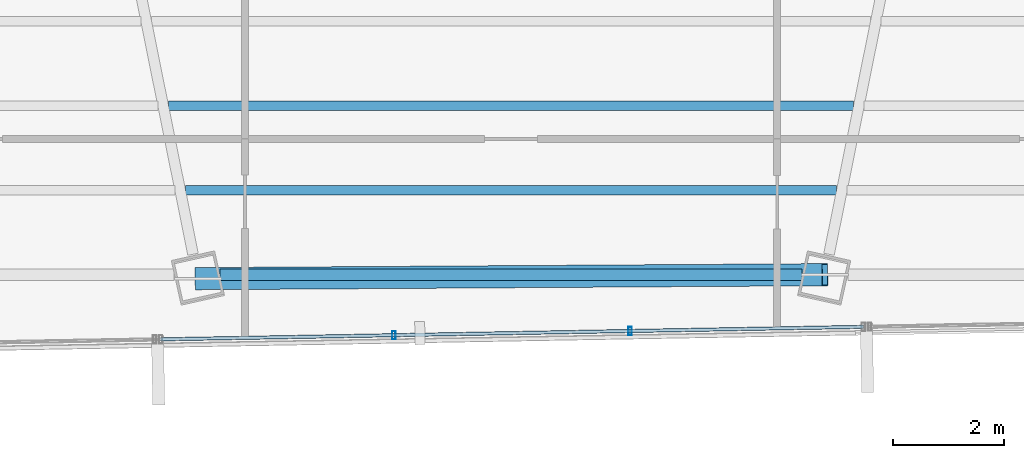
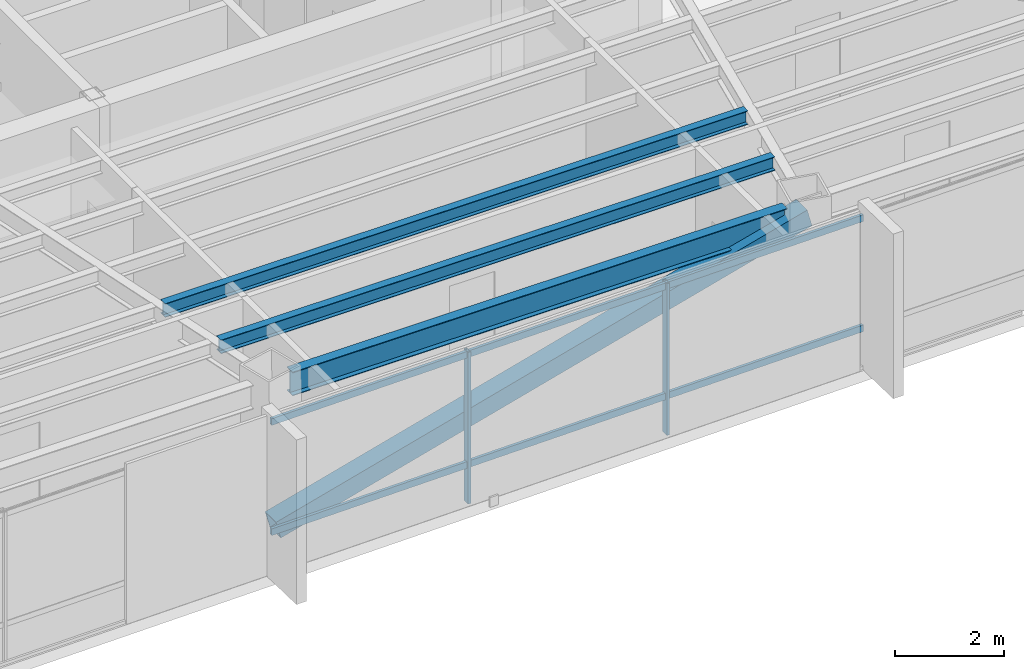
# One storey, part 13 of 44: 5 members, 3 beams, 1 element without a shape of its own.
"""IFC4 building model written with IfcOpenShell, lengths in metres."""

import ifcopenshell
import ifcopenshell.guid

model = None  # the IFC model being written
_history = None  # IfcOwnerHistory: only IFC2X3 demands one
_inside = {}  # id of a spatial element -> (the spatial element, [elements in it])
_under = {}  # id of a project, library or spatial element -> (it, [spatial elements below it])
_declared = {}  # id of a project -> (the project, [libraries it declares])
_typed = {}  # id of a type object -> (the type object, [elements of that type])
_made_of = {}  # id of a material, layer set ... -> (it, [elements and type objects made of it])


def new_model(schema):
    """Start an empty IFC model of exactly this schema.

    Asked for "IFC4X3", IfcOpenShell would pick the latest addendum, in which some entities
    have other attributes; the version numbers below select the first issue.
    IFC2X3 requires an IfcOwnerHistory on every rooted entity: one is made here for all.
    """
    global model, _history
    if schema == "IFC4X3":
        model = ifcopenshell.file(schema_version=(4, 3, 0, 0))
    else:
        model = ifcopenshell.file(schema=schema)
    _inside.clear()
    _under.clear()
    _declared.clear()
    _typed.clear()
    _made_of.clear()
    _history = None
    if model.schema == "IFC2X3":
        org = make("IfcOrganization", Name="unknown")
        user = make(
            "IfcPersonAndOrganization",
            ThePerson=make("IfcPerson", FamilyName="unknown"),
            TheOrganization=org,
        )
        app = make(
            "IfcApplication",
            ApplicationDeveloper=org,
            Version="unknown",
            ApplicationFullName="unknown",
            ApplicationIdentifier="unknown",
        )
        _history = make(
            "IfcOwnerHistory",
            OwningUser=user,
            OwningApplication=app,
            ChangeAction="ADDED",
            CreationDate=0,
        )
    return model


def make(cls, **values):
    """One entity of the class cls with the attributes given. An attribute that is None is left unset."""
    return model.create_entity(
        cls, **{name: value for name, value in values.items() if value is not None}
    )


def rooted(cls, **values):
    """An entity with a GlobalId (a new one), such as an element, a storey or a relation."""
    return make(cls, GlobalId=ifcopenshell.guid.new(), OwnerHistory=_history, **values)


def si_unit(unit_type, name, prefix=None):
    """IfcSIUnit, for example si_unit("LENGTHUNIT", "METRE", prefix="MILLI")."""
    return make("IfcSIUnit", UnitType=unit_type, Prefix=prefix, Name=name)


def assignment(units):
    """IfcUnitAssignment: the units of a project."""
    return None if units is None else make("IfcUnitAssignment", Units=units)


def point(xyz):
    """IfcCartesianPoint."""
    return None if xyz is None else make("IfcCartesianPoint", Coordinates=xyz)


def direction(xyz):
    """IfcDirection."""
    return None if xyz is None else make("IfcDirection", DirectionRatios=xyz)


def frame(location, z_axis=None, x_axis=None):
    """IfcAxis2Placement3D, a coordinate frame: its origin and axes. An axis left out is left unset."""
    return make(
        "IfcAxis2Placement3D",
        Location=point(location),
        Axis=direction(z_axis),
        RefDirection=direction(x_axis),
    )


def frame_2d(location, x_axis=None):
    """IfcAxis2Placement2D, a coordinate frame in the plane: its origin and x axis."""
    return make(
        "IfcAxis2Placement2D", Location=point(location), RefDirection=direction(x_axis)
    )


def origin():
    """The frame at (0, 0, 0) with its axes left unset."""
    return frame((0.0, 0.0, 0.0))


def origin_2d():
    """The frame at (0, 0) in the plane with its x axis left unset."""
    return frame_2d((0.0, 0.0))


def place(relative_to, where):
    """IfcLocalPlacement: puts the frame where relative to a parent placement (None: the world)."""
    return make(
        "IfcLocalPlacement", PlacementRelTo=relative_to, RelativePlacement=where
    )


def context(
    kind, dimensions, precision=None, world=None, true_north=None, identifier=None
):
    """IfcGeometricRepresentationContext, for example the 3D "Model" context."""
    return make(
        "IfcGeometricRepresentationContext",
        ContextIdentifier=identifier,
        ContextType=kind,
        CoordinateSpaceDimension=dimensions,
        Precision=precision,
        WorldCoordinateSystem=world,
        TrueNorth=true_north,
    )


def subcontext(parent, identifier, kind, view, scale=None):
    """IfcGeometricRepresentationSubContext, for example "Body" below "Model"."""
    return make(
        "IfcGeometricRepresentationSubContext",
        ContextIdentifier=identifier,
        ContextType=kind,
        ParentContext=parent,
        TargetScale=scale,
        TargetView=view,
    )


def project(units=None, contexts=None):
    """IfcProject with its units and contexts."""
    return rooted(
        "IfcProject",
        Name="project",
        RepresentationContexts=contexts,
        UnitsInContext=assignment(units),
    )


def spatial(cls, under=None, at=None, **own):
    """A site, building, storey or space (cls), placed at a placement, below another one or the project."""
    s = rooted(cls, ObjectPlacement=at, **own)
    if under is not None:
        _under.setdefault(under.id(), (under, []))[1].append(s)
    return s


def profile(cls, at=None, kind="AREA", **sizes):
    """A parametric profile (cls). Its sizes go by their IFC names, for example OverallWidth=200.0."""
    return make(cls, ProfileType=kind, Position=at, **sizes)


def hollow_rectangle(**sizes):
    """IfcRectangleHollowProfileDef."""
    return profile("IfcRectangleHollowProfileDef", **sizes)


def i_section(**sizes):
    """IfcIShapeProfileDef."""
    return profile("IfcIShapeProfileDef", **sizes)


def extrude(swept, where, along, depth):
    """IfcExtrudedAreaSolid: the profile swept, set in the frame where, extruded along a direction by depth."""
    return make(
        "IfcExtrudedAreaSolid",
        SweptArea=swept,
        Position=where,
        ExtrudedDirection=direction(along),
        Depth=depth,
    )


def shape(context_of_items, identifier, shape_type, items):
    """IfcShapeRepresentation: the items that make up one representation, for example the "Body"."""
    return make(
        "IfcShapeRepresentation",
        ContextOfItems=context_of_items,
        RepresentationIdentifier=identifier,
        RepresentationType=shape_type,
        Items=items,
    )


def source(mapping_origin, context_of_items, identifier, shape_type, items):
    """IfcRepresentationMap: a shape defined once, which mapped items show again and again."""
    return make(
        "IfcRepresentationMap",
        MappingOrigin=mapping_origin,
        MappedRepresentation=shape(context_of_items, identifier, shape_type, items),
    )


def transform(
    local_origin,
    x_axis=None,
    y_axis=None,
    z_axis=None,
    scale=None,
    scale2=None,
    scale3=None,
    uniform=True,
):
    """IfcCartesianTransformationOperator3D, or its non-uniform kind. x_axis, y_axis, z_axis: its Axis1, 2, 3."""
    if uniform:
        return make(
            "IfcCartesianTransformationOperator3D",
            Axis1=direction(x_axis),
            Axis2=direction(y_axis),
            LocalOrigin=point(local_origin),
            Scale=scale,
            Axis3=direction(z_axis),
        )
    return make(
        "IfcCartesianTransformationOperator3DnonUniform",
        Axis1=direction(x_axis),
        Axis2=direction(y_axis),
        LocalOrigin=point(local_origin),
        Scale=scale,
        Axis3=direction(z_axis),
        Scale2=scale2,
        Scale3=scale3,
    )


def mapped(mapping_source, mapping_target):
    """IfcMappedItem: shows the shape of a source again, moved by a transform."""
    return make(
        "IfcMappedItem", MappingSource=mapping_source, MappingTarget=mapping_target
    )


def material(Name=None, Category=None):
    """IfcMaterial."""
    return make("IfcMaterial", Name=Name, Category=Category)


def material_profile(
    of_material, cross_section, Name=None, Category=None, Priority=None
):
    """IfcMaterialProfile: a cross section and its material."""
    return make(
        "IfcMaterialProfile",
        Name=Name,
        Material=of_material,
        Profile=cross_section,
        Priority=Priority,
        Category=Category,
    )


def profile_set(profiles, Name=None, composite=None):
    """IfcMaterialProfileSet."""
    return make(
        "IfcMaterialProfileSet",
        Name=Name,
        MaterialProfiles=profiles,
        CompositeProfile=composite,
    )


def made_of(thing, what):
    """Note that an element or type object is made of a material, layer set ...; save() writes the relation."""
    if what is not None:
        _made_of.setdefault(what.id(), (what, []))[1].append(thing)
    return thing


def type_object(cls, material=None, **own):
    """A type object (cls), such as IfcWallType, which elements share."""
    return made_of(rooted(cls, **own), material)


def type_shapes(of_type, sources):
    """Give a type object the sources (RepresentationMaps) that its elements show as mapped items."""
    of_type.RepresentationMaps = sources


def element(
    cls,
    number,
    at=None,
    inside=None,
    cuts=None,
    type_object=None,
    material=None,
    context=None,
    identifier="Body",
    shape_type=None,
    held_by="IfcProductDefinitionShape",
    body=None,
    shapes=None,
    **own,
):
    """One element of the class cls, such as IfcWall. Its Tag is "e" and its number.

    at: its placement. inside: the storey or other place that contains it. cuts: it is an
    opening in that element (IfcRelVoidsElement). A single representation is given by context,
    identifier, shape_type and body (its items); several are given by shapes. held_by: the class
    of the entity that holds the representations. save() writes the other relations.
    """
    e = rooted(cls, Tag="e%d" % number, ObjectPlacement=at, **own)
    if body is not None:
        shapes = [shape(context, identifier, shape_type, body)]
    if shapes is not None:
        e.Representation = make(held_by, Representations=shapes)
    if inside is not None:
        _inside.setdefault(inside.id(), (inside, []))[1].append(e)
    if cuts is not None:
        rooted(
            "IfcRelVoidsElement", RelatingBuildingElement=cuts, RelatedOpeningElement=e
        )
    if type_object is not None:
        _typed.setdefault(type_object.id(), (type_object, []))[1].append(e)
    return made_of(e, material)


def aggregate(whole, parts):
    """IfcRelAggregates: a whole, such as a stair, and the parts it consists of."""
    return rooted("IfcRelAggregates", RelatingObject=whole, RelatedObjects=parts)


def save(model, path):
    """Write the relations noted so far, then the file.

    IfcRelAggregates (storeys below a building ...), IfcRelContainedInSpatialStructure (elements
    in a storey), IfcRelDefinesByType, IfcRelAssociatesMaterial and IfcRelDeclares: one each for
    every whole, place, type object, material and project.
    """
    for whole, parts in _under.values():
        aggregate(whole, parts)
    for where, things in _inside.values():
        rooted(
            "IfcRelContainedInSpatialStructure",
            RelatedElements=things,
            RelatingStructure=where,
        )
    for kind, things in _typed.values():
        rooted("IfcRelDefinesByType", RelatedObjects=things, RelatingType=kind)
    for what, things in _made_of.values():
        rooted("IfcRelAssociatesMaterial", RelatedObjects=things, RelatingMaterial=what)
    for by, libraries in _declared.values():
        rooted("IfcRelDeclares", RelatingContext=by, RelatedDefinitions=libraries)
    model.write(path)


model = new_model("IFC4")

# Units and contexts
model_context = context("Model", 3, precision=1e-05, world=origin(), true_north=direction((0.0, 1.0)))
body_context = subcontext(model_context, "Body", "Model", "MODEL_VIEW")
ifc_project = project(units=[si_unit("LENGTHUNIT", "METRE"), si_unit("AREAUNIT", "SQUARE_METRE"), si_unit("VOLUMEUNIT", "CUBIC_METRE"), si_unit("PLANEANGLEUNIT", "RADIAN"), si_unit("MASSUNIT", "GRAM", prefix="KILO")], contexts=[model_context])

# Site, building, storey
site_placement = place(None, origin())
site = spatial("IfcSite", under=ifc_project, at=site_placement, CompositionType="ELEMENT")
building_placement = place(site_placement, origin())
building = spatial("IfcBuilding", under=site, at=building_placement, Name="Caelisora Broadcast Tower", CompositionType="ELEMENT")
storey_placement = place(building_placement, frame((0.0, 0.0, 198.64990234375)))
storey = spatial("IfcBuildingStorey", under=building, at=storey_placement, Name="L52", CompositionType="ELEMENT", Elevation=198.64990234375)

# Beams
ifc_material_1 = material(Name="Steel Grade 350 (AS/NZS 3679.1)", Category="steel")
ifc_material_profile_1 = material_profile(ifc_material_1, i_section(OverallWidth=0.208984375, OverallDepth=0.532958984375, WebThickness=0.01025390625, FlangeThickness=0.015625, at=origin_2d()), Name="Steel Grade 350 (AS/NZS 3679.1)")
ifc_profile_set_1 = profile_set([ifc_material_profile_1], Name="Steel Grade 350 (AS/NZS 3679.1)")
beam_type_1 = type_object("IfcBeamType", Name="PG05", PredefinedType="BEAM", material=ifc_profile_set_1)
shared_shape_1 = source(origin(), body_context, "Body", "SweptSolid", [
    extrude(i_section(OverallWidth=0.208984375, OverallDepth=0.532958984375, WebThickness=0.01025390625, FlangeThickness=0.015625, at=origin_2d()), origin(), (0.0, 0.0, 1.0), 10.4912109375),
])
type_shapes(beam_type_1, [shared_shape_1])
beam_1_placement = place(storey_placement, frame((32.75439453125, 8.26025390625, 3.133544921875), z_axis=(1.0, 0.0, 0.0), x_axis=(0.0, 1.0, 0.0)))
element("IfcBeam", 1, at=beam_1_placement, inside=storey, type_object=beam_type_1, Name="L52 beam PG05", PredefinedType="BEAM", context=body_context, shape_type="MappedRepresentation", body=[
    mapped(shared_shape_1, transform((0.0, 0.0, 0.0), scale=1.0)),
])
ifc_material_profile_2 = material_profile(ifc_material_1, i_section(OverallWidth=0.166015625, OverallDepth=0.30712890625, WebThickness=0.006591796875, FlangeThickness=0.01171875, at=origin_2d()), Name="Steel Grade 350 (AS/NZS 3679.1)")
ifc_profile_set_2 = profile_set([ifc_material_profile_2], Name="Steel Grade 350 (AS/NZS 3679.1)")
beam_type_2 = type_object("IfcBeamType", Name="SB03", PredefinedType="JOIST", material=ifc_profile_set_2)
shared_shape_2 = source(origin(), body_context, "Body", "SweptSolid", [
    extrude(i_section(OverallWidth=0.166015625, OverallDepth=0.30712890625, WebThickness=0.006591796875, FlangeThickness=0.01171875, at=origin_2d()), origin(), (0.0, 0.0, 1.0), 12.3603515625),
])
beam_2_placement = place(storey_placement, frame((31.81982421875, 11.306884765625, 3.24658203125), z_axis=(1.0, 0.0, 0.0), x_axis=(0.0, 1.0, 0.0)))
element("IfcBeam", 2, at=beam_2_placement, inside=storey, type_object=beam_type_2, Name="L52 beam SB03", PredefinedType="JOIST", context=body_context, shape_type="MappedRepresentation", body=[
    mapped(shared_shape_2, transform((0.0, 0.0, 0.0), scale=1.0)),
])
shared_shape_3 = source(origin(), body_context, "Body", "SweptSolid", [
    extrude(i_section(OverallWidth=0.166015625, OverallDepth=0.30712890625, WebThickness=0.006591796875, FlangeThickness=0.01171875, at=origin_2d()), origin(), (0.0, 0.0, 1.0), 11.74755859375),
])
type_shapes(beam_type_2, [shared_shape_2, shared_shape_3])
beam_3_placement = place(storey_placement, frame((32.126220703125, 9.78369140625, 3.24658203125), z_axis=(1.0, 0.0, 0.0), x_axis=(0.0, 1.0, 0.0)))
element("IfcBeam", 3, at=beam_3_placement, inside=storey, type_object=beam_type_2, Name="L52 beam SB03", PredefinedType="JOIST", context=body_context, shape_type="MappedRepresentation", body=[
    mapped(shared_shape_3, transform((0.0, 0.0, 0.0), scale=1.0)),
])

# Member
ifc_material_2 = material(Name="Steel Grade 450 (AS/NZS 1163 C450L0)", Category="steel")
ifc_material_profile_3 = material_profile(ifc_material_2, hollow_rectangle(XDim=0.39990234375, YDim=0.39990234375, WallThickness=0.01611328125, at=origin_2d()), Name="Steel Grade 450 (AS/NZS 1163 C450L0)")
ifc_profile_set_3 = profile_set([ifc_material_profile_3], Name="Steel Grade 450 (AS/NZS 1163 C450L0)")
member_type_1 = type_object("IfcMemberType", Name="BR04", PredefinedType="BRACE", material=ifc_profile_set_3)
shared_shape_4 = source(origin(), body_context, "Body", "SweptSolid", [
    extrude(hollow_rectangle(XDim=0.39990234375, YDim=0.39990234375, WallThickness=0.01611328125, at=origin_2d()), origin(), (0.0, 0.0, 1.0), 11.698486328125),
])
type_shapes(member_type_1, [shared_shape_4])
member_1_placement = place(storey_placement, frame((32.3544921875, 8.18798828125, 0.10009765625), z_axis=(0.966539949104, 0.006177307616, 0.256441743201), x_axis=(-0.006391025497, 0.999979577188, 0.0)))
element("IfcMember", 4, at=member_1_placement, inside=storey, type_object=member_type_1, Name="L52 perimeter brace BR04", PredefinedType="BRACE", context=body_context, shape_type="MappedRepresentation", body=[
    mapped(shared_shape_4, transform((0.0, 0.0, 0.0), scale=1.0)),
])

# Curtain wall, members
ifc_material_3 = material(Name="Unitised Aluminium Insulated Shadow-Box Spandrel Curtain Wall", Category="aluminium")
curtain_wall_type = type_object("IfcCurtainWallType", Name="CW-SP2", PredefinedType="NOTDEFINED", material=ifc_material_3)
curtain_wall_placement = place(storey_placement, origin())
curtain_wall = element("IfcCurtainWall", 5, at=curtain_wall_placement, inside=storey, type_object=curtain_wall_type, Name="L52 curtain wall CW-SP2", PredefinedType="NOTDEFINED")
ifc_material_4 = material(Name="Aluminium 6063-T6 Anodised Terracotta Bronze", Category="aluminium")
ifc_material_profile_4 = material_profile(ifc_material_4, hollow_rectangle(XDim=0.06005859375, YDim=0.14990234375, WallThickness=0.00341796875, at=origin_2d()), Name="Aluminium 6063-T6 Anodised Terracotta Bronze")
ifc_profile_set_4 = profile_set([ifc_material_profile_4], Name="Aluminium 6063-T6 Anodised Terracotta Bronze")
member_type_2 = type_object("IfcMemberType", Name="CWM-03", PredefinedType="MULLION", material=ifc_profile_set_4)
shared_shape_5 = source(origin(), body_context, "Body", "SweptSolid", [
    extrude(hollow_rectangle(XDim=0.06005859375, YDim=0.14990234375, WallThickness=0.00341796875, at=origin_2d()), origin(), (0.0, 0.0, 1.0), 3.400146484375),
])
type_shapes(member_type_2, [shared_shape_5])
member_2_placement = place(storey_placement, frame((40.14697265625, 7.244384765625, 0.0), z_axis=(0.0, 0.0, 1.0), x_axis=(1.0, 0.0, 0.0)))
member_2 = element("IfcMember", 6, at=member_2_placement, type_object=member_type_2, Name="L52-CW-B06 mullion #1", PredefinedType="MULLION", context=body_context, shape_type="MappedRepresentation", body=[
    mapped(shared_shape_5, transform((0.0, 0.0, 0.0), scale=1.0)),
])
member_3_placement = place(storey_placement, frame((35.887939453125, 7.168701171875, 0.0), z_axis=(0.0, 0.0, 1.0), x_axis=(1.0, 0.0, 0.0)))
member_3 = element("IfcMember", 7, at=member_3_placement, type_object=member_type_2, Name="L52-CW-B06 mullion #2", PredefinedType="MULLION", context=body_context, shape_type="MappedRepresentation", body=[
    mapped(shared_shape_5, transform((0.0, 0.0, 0.0), scale=1.0)),
])
ifc_material_profile_5 = material_profile(ifc_material_4, hollow_rectangle(XDim=0.06005859375, YDim=0.14990234375, WallThickness=0.00341796875, at=origin_2d()), Name="Aluminium 6063-T6 Anodised Terracotta Bronze")
ifc_profile_set_5 = profile_set([ifc_material_profile_5], Name="Aluminium 6063-T6 Anodised Terracotta Bronze")
member_type_3 = type_object("IfcMemberType", Name="CWT-02", PredefinedType="USERDEFINED", material=ifc_profile_set_5)
shared_shape_6 = source(origin(), body_context, "Body", "SweptSolid", [
    extrude(hollow_rectangle(XDim=0.06005859375, YDim=0.14990234375, WallThickness=0.00341796875, at=origin_2d()), origin(), (0.0, 0.0, 1.0), 12.678955078125),
])
type_shapes(member_type_3, [shared_shape_6])
member_4_placement = place(storey_placement, frame((44.35595703125, 7.3193359375, 0.85009765625), z_axis=(-0.999841708422, -0.017792079703, 0.0), x_axis=(0.017792079703, -0.999841708422, 0.0)))
member_4 = element("IfcMember", 8, at=member_4_placement, type_object=member_type_3, Name="L52-CW-B06 transom #1", ObjectType="TRANSOM", PredefinedType="USERDEFINED", context=body_context, shape_type="MappedRepresentation", body=[
    mapped(shared_shape_6, transform((0.0, 0.0, 0.0), scale=1.0)),
])
member_5_placement = place(storey_placement, frame((44.35595703125, 7.3193359375, 3.320068359375), z_axis=(-0.999841708422, -0.017792079703, 0.0), x_axis=(0.017792079703, -0.999841708422, 0.0)))
member_5 = element("IfcMember", 9, at=member_5_placement, type_object=member_type_3, Name="L52-CW-B06 transom #2", ObjectType="TRANSOM", PredefinedType="USERDEFINED", context=body_context, shape_type="MappedRepresentation", body=[
    mapped(shared_shape_6, transform((0.0, 0.0, 0.0), scale=1.0)),
])
aggregate(curtain_wall, [member_2, member_3, member_4, member_5])

save(model, "model.ifc")
